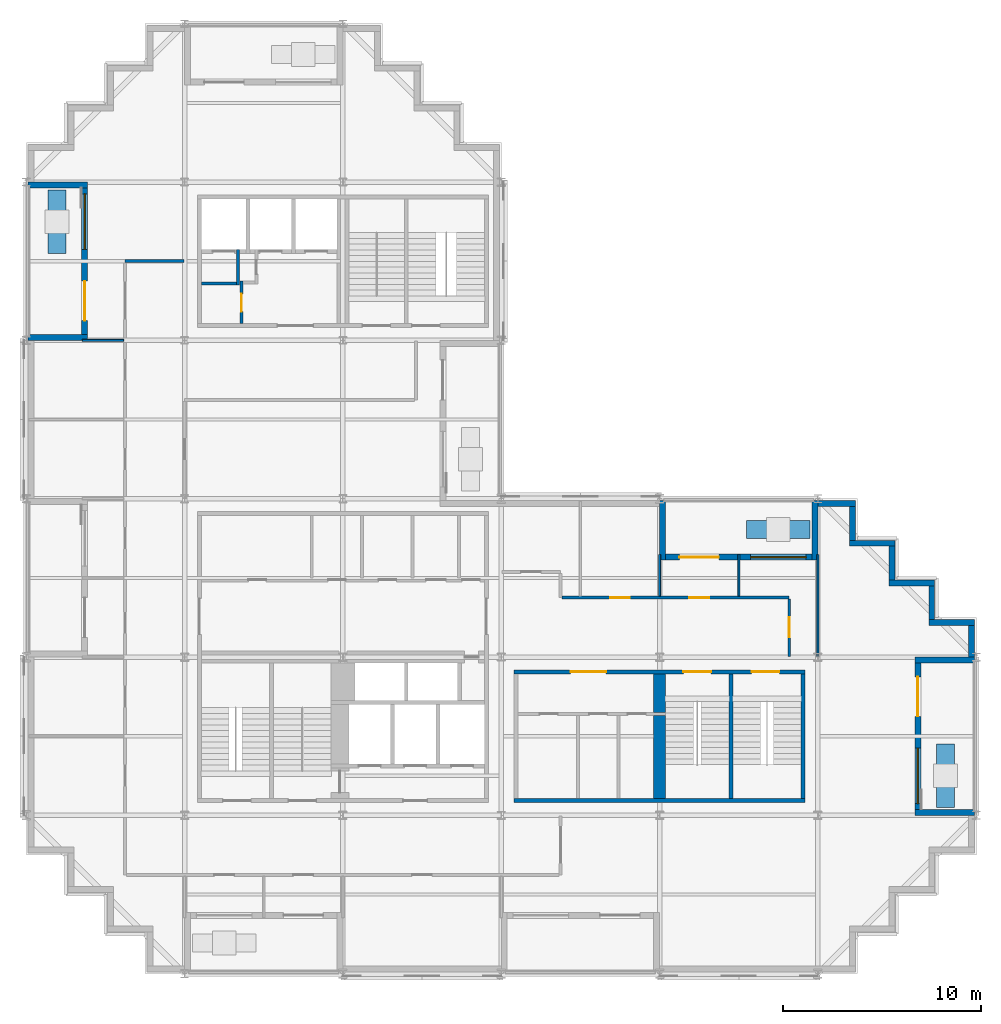
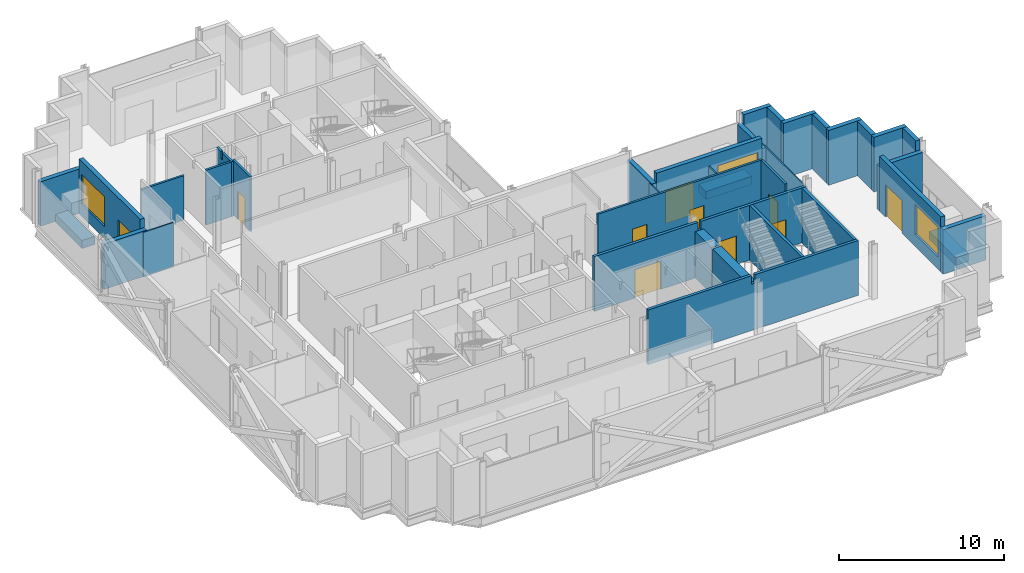
# One storey, part 7 of 12: 36 walls, 10 doors, 3 windows, 13 openings.
"""IFC4 building model written with IfcOpenShell, lengths in metres."""

from ifc_helpers import new_model, si_unit, direction, frame, frame_2d, origin, place, context, subcontext, project, spatial, polyline, rectangle, outline, extrude, material, layer, layer_set, type_object, element, fill, save


model = new_model("IFC4")

# Units and contexts
model_context = context("Model", 3, precision=1e-05, world=origin(), true_north=direction((0.0, 1.0)))
body_context = subcontext(model_context, "Body", "Model", "MODEL_VIEW")
ifc_project = project(units=[si_unit("LENGTHUNIT", "METRE"), si_unit("AREAUNIT", "SQUARE_METRE"), si_unit("VOLUMEUNIT", "CUBIC_METRE"), si_unit("PLANEANGLEUNIT", "RADIAN"), si_unit("MASSUNIT", "GRAM", prefix="KILO")], contexts=[model_context])

# Site, building, storey
site_placement = place(None, origin())
site = spatial("IfcSite", under=ifc_project, at=site_placement, CompositionType="ELEMENT")
building_placement = place(site_placement, origin())
building = spatial("IfcBuilding", under=site, at=building_placement, Name="Immortelle Media Tower", CompositionType="ELEMENT")
storey_placement = place(building_placement, frame((0.0, 0.0, 132.60009765625)))
storey = spatial("IfcBuildingStorey", under=building, at=storey_placement, Name="L26", CompositionType="ELEMENT", Elevation=132.60009765625)

# Walls
ifc_material_1 = material(Name="Fire-rated gypsum board", Category="gypsum")
ifc_layer_1 = layer(ifc_material_1, 0.02490234375)
ifc_material_2 = material(Name="Steel ASTM A653 SS Gr 50 stud frame with mineral wool", Category="steel")
ifc_layer_2 = layer(ifc_material_2, 0.10009765625)
ifc_layer_3 = layer(ifc_material_1, 0.02490234375)
ifc_layer_set_1 = layer_set([ifc_layer_1, ifc_layer_2, ifc_layer_3], Name="Steel ASTM A653 SS Gr 50 stud frame with mineral wool")
wall_type_1 = type_object("IfcWallType", Name="Core partition 150", PredefinedType="PARTITIONING", material=ifc_layer_set_1)
wall_1_placement = place(storey_placement, frame((8.85009765625, 34.875, 0.0), z_axis=(0.0, 0.0, 1.0), x_axis=(1.0, 0.0, 0.0)))
element("IfcWall", 1, at=wall_1_placement, inside=storey, type_object=wall_type_1, Name="Core partition NW", PredefinedType="PARTITIONING", context=body_context, shape_type="SweptSolid", body=[
    extrude(rectangle(XDim=1.77490234375, YDim=0.14990234375, at=frame_2d((0.887451171875, 0.0))), origin(), (0.0, 0.0, 1.0), 4.0498046875),
])
wall_2_placement = place(storey_placement, frame((10.699951171875, 34.800048828125, 0.0), z_axis=(0.0, 0.0, 1.0), x_axis=(0.0, 1.0, 0.0)))
element("IfcWall", 2, at=wall_2_placement, inside=storey, type_object=wall_type_1, Name="Core partition NW", PredefinedType="PARTITIONING", context=body_context, shape_type="SweptSolid", body=[
    extrude(outline(polyline([(0.0, 0.0), (1.800048828125, 0.0), (1.800048828125, 4.0498046875), (1.28759765625, 4.0498046875), (1.28662109375, 3.517822265625), (1.113525390625, 3.517822265625), (1.112548828125, 4.0498046875), (0.0, 4.0498046875), (0.0, 0.0)])), frame((0.0, 0.074951171875, 0.0), z_axis=(0.0, -1.0, 0.0), x_axis=(1.0, 0.0, 0.0)), (0.0, 0.0, 1.0), 0.14990234375),
])

# Wall, opening, door
wall_3_placement = place(storey_placement, frame((10.875, 32.85009765625, 0.0), z_axis=(0.0, 0.0, 1.0), x_axis=(0.0, 1.0, 0.0)))
wall_3 = element("IfcWall", 3, at=wall_3_placement, inside=storey, type_object=wall_type_1, Name="Core partition NW", PredefinedType="PARTITIONING", context=body_context, shape_type="SweptSolid", body=[
    extrude(rectangle(XDim=2.14990234375, YDim=0.14990234375, at=frame_2d((1.074951171875, 0.0))), origin(), (0.0, 0.0, 1.0), 4.0498046875),
])
opening_1_placement = place(wall_3_placement, frame((0.60009765625, 0.0, 0.0)))
opening_1 = element("IfcOpeningElement", 4, at=opening_1_placement, cuts=wall_3, Name="Opening C2-K023", PredefinedType="OPENING", context=body_context, shape_type="SweptSolid", body=[
    extrude(rectangle(XDim=0.89990234375, YDim=2.10009765625, at=frame_2d((0.449951171875, 1.050048828125))), frame((0.0, 0.0849609375, 0.0), z_axis=(0.0, -1.0, 0.0), x_axis=(1.0, 0.0, 0.0)), (0.0, 0.0, 1.0), 0.169921875),
])
ifc_material_3 = material(Name="Galvanised steel door leaf and frame ASTM A653", Category="steel")
door_type_1 = type_object("IfcDoorType", Name="Service door 900 x 2100", OperationType="NOTDEFINED", PredefinedType="NOTDEFINED", material=ifc_material_3)
door_1_placement = place(opening_1_placement, origin())
door_1 = element("IfcDoor", 5, at=door_1_placement, inside=storey, type_object=door_type_1, Name="Service C2-K023", OperationType="SINGLE_SWING_LEFT", OverallHeight=2.10009765625, OverallWidth=0.89990234375, PredefinedType="NOTDEFINED", context=body_context, shape_type="SweptSolid", body=[
    extrude(rectangle(XDim=0.89990234375, YDim=2.10009765625, at=frame_2d((0.449951171875, 1.050048828125))), frame((0.0, 0.02490234375, 0.0), z_axis=(0.0, -1.0, 0.0), x_axis=(1.0, 0.0, 0.0)), (0.0, 0.0, 1.0), 0.050048828125),
])
fill(opening_1, door_1)

ifc_layer_4 = layer(ifc_material_1, 0.012451171875)
ifc_layer_5 = layer(ifc_material_2, 0.125)
ifc_layer_6 = layer(ifc_material_1, 0.012451171875)
ifc_layer_set_2 = layer_set([ifc_layer_4, ifc_layer_5, ifc_layer_6], Name="Steel ASTM A653 SS Gr 50 stud frame with mineral wool")
wall_type_2 = type_object("IfcWallType", Name="Corridor wall 150", PredefinedType="PARTITIONING", material=ifc_layer_set_2)
wall_4_placement = place(storey_placement, frame((38.550048828125, 16.030029296875, 0.0), z_axis=(0.0, 0.0, 1.0), x_axis=(0.0, 1.0, 0.0)))
wall_4 = element("IfcWall", 6, at=wall_4_placement, inside=storey, type_object=wall_type_2, Name="Partition L26-010", PredefinedType="PARTITIONING", context=body_context, shape_type="SweptSolid", body=[
    extrude(rectangle(XDim=2.89501953125, YDim=0.14990234375, at=frame_2d((1.447509765625, 0.0))), origin(), (0.0, 0.0, 1.0), 4.0498046875),
])
opening_2_placement = place(wall_4_placement, frame((1.969970703125, 0.0, 0.0), z_axis=(0.0, 0.0, 1.0), x_axis=(-1.0, 0.0, 0.0)))
opening_2 = element("IfcOpeningElement", 7, at=opening_2_placement, cuts=wall_4, Name="Opening C2-F008", PredefinedType="OPENING", context=body_context, shape_type="SweptSolid", body=[
    extrude(rectangle(XDim=1.0, YDim=2.10009765625, at=frame_2d((0.5, 1.050048828125))), frame((0.0, 0.0849609375, 0.0), z_axis=(0.0, -1.0, 0.0), x_axis=(1.0, 0.0, 0.0)), (0.0, 0.0, 1.0), 0.169921875),
])
ifc_material_4 = material(Name="Timber veneered door leaf, galvanised steel frame ASTM A653", Category="steel")
door_type_2 = type_object("IfcDoorType", Name="Room door 1000 x 2100", OperationType="NOTDEFINED", PredefinedType="DOOR", material=ifc_material_4)
door_2_placement = place(opening_2_placement, origin())
door_2 = element("IfcDoor", 8, at=door_2_placement, inside=storey, type_object=door_type_2, Name="Door C2-F008", OperationType="SINGLE_SWING_RIGHT", OverallHeight=2.10009765625, OverallWidth=1.0, PredefinedType="DOOR", context=body_context, shape_type="SweptSolid", body=[
    extrude(rectangle(XDim=1.0, YDim=2.10009765625, at=frame_2d((0.5, 1.050048828125))), frame((0.0, 0.02490234375, 0.0), z_axis=(0.0, -1.0, 0.0), x_axis=(1.0, 0.0, 0.0)), (0.0, 0.0, 1.0), 0.050048828125),
])
fill(opening_2, door_2)

# Wall, openings, doors
wall_5_placement = place(storey_placement, frame((27.074951171875, 19.0, 0.0), z_axis=(0.0, 0.0, 1.0), x_axis=(1.0, 0.0, 0.0)))
wall_5 = element("IfcWall", 9, at=wall_5_placement, inside=storey, type_object=wall_type_2, Name="Partition L26-012", PredefinedType="PARTITIONING", context=body_context, shape_type="SweptSolid", body=[
    extrude(rectangle(XDim=11.47509765625, YDim=0.14990234375, at=frame_2d((5.737548828125, 0.0))), origin(), (0.0, 0.0, 1.0), 4.0498046875),
])
opening_3_placement = place(wall_5_placement, frame((6.425048828125, 0.0, 0.0)))
opening_3 = element("IfcOpeningElement", 10, at=opening_3_placement, cuts=wall_5, Name="Opening C2-F007", PredefinedType="OPENING", context=body_context, shape_type="SweptSolid", body=[
    extrude(rectangle(XDim=1.0, YDim=2.10009765625, at=frame_2d((0.5, 1.050048828125))), frame((0.0, 0.0849609375, 0.0), z_axis=(0.0, -1.0, 0.0), x_axis=(1.0, 0.0, 0.0)), (0.0, 0.0, 1.0), 0.169921875),
])
opening_4_placement = place(wall_5_placement, frame((2.425048828125, 0.0, 0.0)))
opening_4 = element("IfcOpeningElement", 11, at=opening_4_placement, cuts=wall_5, Name="Opening C2-F012", PredefinedType="OPENING", context=body_context, shape_type="SweptSolid", body=[
    extrude(rectangle(XDim=1.0, YDim=2.10009765625, at=frame_2d((0.5, 1.050048828125))), frame((0.0, 0.0849609375, 0.0), z_axis=(0.0, -1.0, 0.0), x_axis=(1.0, 0.0, 0.0)), (0.0, 0.0, 1.0), 0.169921875),
])
door_3_placement = place(opening_3_placement, origin())
door_3 = element("IfcDoor", 12, at=door_3_placement, inside=storey, type_object=door_type_2, Name="Door C2-F007", OperationType="SINGLE_SWING_RIGHT", OverallHeight=2.10009765625, OverallWidth=1.0, PredefinedType="DOOR", context=body_context, shape_type="SweptSolid", body=[
    extrude(rectangle(XDim=1.0, YDim=2.10009765625, at=frame_2d((0.5, 1.050048828125))), frame((0.0, 0.02490234375, 0.0), z_axis=(0.0, -1.0, 0.0), x_axis=(1.0, 0.0, 0.0)), (0.0, 0.0, 1.0), 0.050048828125),
])
fill(opening_3, door_3)
door_4_placement = place(opening_4_placement, origin())
door_4 = element("IfcDoor", 13, at=door_4_placement, inside=storey, type_object=door_type_2, Name="Door C2-F012", OperationType="SINGLE_SWING_RIGHT", OverallHeight=2.10009765625, OverallWidth=1.0, PredefinedType="DOOR", context=body_context, shape_type="SweptSolid", body=[
    extrude(rectangle(XDim=1.0, YDim=2.10009765625, at=frame_2d((0.5, 1.050048828125))), frame((0.0, 0.02490234375, 0.0), z_axis=(0.0, -1.0, 0.0), x_axis=(1.0, 0.0, 0.0)), (0.0, 0.0, 1.0), 0.050048828125),
])
fill(opening_4, door_4)

# Wall
wall_6_placement = place(storey_placement, frame((5.0, 36.0, 0.0), z_axis=(0.0, 0.0, 1.0), x_axis=(1.0, 0.0, 0.0)))
element("IfcWall", 14, at=wall_6_placement, inside=storey, type_object=wall_type_2, Name="Partition L26-025", PredefinedType="PARTITIONING", context=body_context, shape_type="SweptSolid", body=[
    extrude(rectangle(XDim=2.969970703125, YDim=0.14990234375, at=frame_2d((1.48486328125, 0.0))), origin(), (0.0, 0.0, 1.0), 3.287841796875),
])

# Wall, openings, door, window
ifc_material_5 = material(Name="Pale aluminium cladding panel", Category="aluminium")
ifc_layer_7 = layer(ifc_material_5, 0.030029296875)
ifc_layer_8 = layer(ifc_material_2, 0.257568359375)
ifc_material_6 = material(Name="Moisture-resistant gypsum board", Category="gypsum")
ifc_layer_9 = layer(ifc_material_6, 0.012451171875)
ifc_layer_set_3 = layer_set([ifc_layer_7, ifc_layer_8, ifc_layer_9], Name="Steel ASTM A653 SS Gr 50 stud frame with mineral wool")
wall_type_3 = type_object("IfcWallType", Name="Facade wall 300", PredefinedType="SOLIDWALL", material=ifc_layer_set_3)
wall_7_placement = place(storey_placement, frame((45.050048828125, 8.300048828125, 0.0), z_axis=(0.0, 0.0, 1.0), x_axis=(0.0, 1.0, 0.0)))
wall_7 = element("IfcWall", 15, at=wall_7_placement, inside=storey, type_object=wall_type_3, Name="Loggia wall L26 E13", PredefinedType="SOLIDWALL", context=body_context, shape_type="SweptSolid", body=[
    extrude(rectangle(XDim=7.39990234375, YDim=0.300048828125, at=frame_2d((3.699951171875, 0.0))), origin(), (0.0, 0.0, 1.0), 4.0498046875),
])
opening_5_placement = place(wall_7_placement, frame((0.300048828125, 0.0, 0.89990234375)))
opening_5 = element("IfcOpeningElement", 16, at=opening_5_placement, cuts=wall_7, Name="Opening W1", PredefinedType="OPENING", context=body_context, shape_type="SweptSolid", body=[
    extrude(rectangle(XDim=2.800048828125, YDim=2.199951171875, at=frame_2d((1.39990234375, 1.10009765625))), frame((0.0, 0.159912109375, 0.0), z_axis=(0.0, -1.0, 0.0), x_axis=(1.0, 0.0, 0.0)), (0.0, 0.0, 1.0), 0.320068359375),
])
opening_6_placement = place(wall_7_placement, frame((4.699951171875, 0.0, 0.0)))
opening_6 = element("IfcOpeningElement", 17, at=opening_6_placement, cuts=wall_7, Name="Opening C2-E003", PredefinedType="OPENING", context=body_context, shape_type="SweptSolid", body=[
    extrude(rectangle(XDim=2.0, YDim=2.39990234375, at=frame_2d((1.0, 1.199951171875))), frame((0.0, 0.159912109375, 0.0), z_axis=(0.0, -1.0, 0.0), x_axis=(1.0, 0.0, 0.0)), (0.0, 0.0, 1.0), 0.320068359375),
])
ifc_material_7 = material(Name="Aluminium frame, glazed leaves", Category="aluminium")
door_type_3 = type_object("IfcDoorType", Name="Loggia door 2000 x 2400", OperationType="DOUBLE_DOOR_SINGLE_SWING", PredefinedType="DOOR", material=ifc_material_7)
door_5_placement = place(opening_6_placement, origin())
door_5 = element("IfcDoor", 18, at=door_5_placement, inside=storey, type_object=door_type_3, Name="Door C2-E003", OperationType="DOUBLE_DOOR_SINGLE_SWING", OverallHeight=2.39990234375, OverallWidth=2.0, PredefinedType="DOOR", context=body_context, shape_type="SweptSolid", body=[
    extrude(rectangle(XDim=2.0, YDim=2.39990234375, at=frame_2d((1.0, 1.199951171875))), frame((0.0, 0.02490234375, 0.0), z_axis=(0.0, -1.0, 0.0), x_axis=(1.0, 0.0, 0.0)), (0.0, 0.0, 1.0), 0.050048828125),
])
fill(opening_6, door_5)
ifc_material_8 = material(Name="Aluminium frame", Category="aluminium")
window_type = type_object("IfcWindowType", Name="Window 2800 x 2200", PartitioningType="SINGLE_PANEL", PredefinedType="WINDOW", material=ifc_material_8)
window_1_placement = place(opening_5_placement, origin())
window_1 = element("IfcWindow", 19, at=window_1_placement, inside=storey, type_object=window_type, Name="Window L26 L26-R13-B0", OverallHeight=2.199951171875, OverallWidth=2.800048828125, PartitioningType="SINGLE_PANEL", PredefinedType="WINDOW", context=body_context, shape_type="SweptSolid", body=[
    extrude(rectangle(XDim=2.800048828125, YDim=2.199951171875, at=frame_2d((1.39990234375, 1.10009765625))), frame((0.0, 0.030029296875, 0.0), z_axis=(0.0, -1.0, 0.0), x_axis=(1.0, 0.0, 0.0)), (0.0, 0.0, 1.0), 0.06005859375),
])
fill(opening_5, window_1)

# Walls
for number, where, z_axis, x_axis, name in (
    (20, (47.89990234375, 8.14990234375, 0.0), (0.0, 0.0, 1.0), (-1.0, 0.0, 0.0), "Loggia cheek wall L26 E"),
    (21, (47.89990234375, 15.85009765625, 0.0), (0.0, 0.0, 1.0), (-1.0, 0.0, 0.0), "Loggia cheek wall L26 E"),
):
    element("IfcWall", number, at=place(storey_placement, frame(where, z_axis=z_axis, x_axis=x_axis)), inside=storey, type_object=wall_type_3, Name=name, PredefinedType="SOLIDWALL", context=body_context, shape_type="SweptSolid", body=[
        extrude(rectangle(XDim=3.0, YDim=0.300048828125, at=frame_2d((1.5, 0.0))), origin(), (0.0, 0.0, 1.0), 3.286865234375),
    ])
wall_8_placement = place(storey_placement, frame((47.75, 16.0, 0.0), z_axis=(0.0, 0.0, 1.0), x_axis=(0.0, 1.0, 0.0)))
element("IfcWall", 22, at=wall_8_placement, inside=storey, type_object=wall_type_3, Name="Facade wall L26 E13", PredefinedType="SOLIDWALL", context=body_context, shape_type="SweptSolid", body=[
    extrude(rectangle(XDim=1.60009765625, YDim=0.300048828125, at=frame_2d((0.800048828125, 0.0))), origin(), (0.0, 0.0, 1.0), 4.0498046875),
])
wall_9_placement = place(storey_placement, frame((47.89990234375, 17.75, 0.0), z_axis=(0.0, 0.0, 1.0), x_axis=(-1.0, 0.0, 0.0)))
element("IfcWall", 23, at=wall_9_placement, inside=storey, type_object=wall_type_3, Name="Facade wall L26 N14", PredefinedType="SOLIDWALL", context=body_context, shape_type="SweptSolid", body=[
    extrude(rectangle(XDim=2.2998046875, YDim=0.300048828125, at=frame_2d((1.14990234375, 0.0))), origin(), (0.0, 0.0, 1.0), 4.0498046875),
])
wall_10_placement = place(storey_placement, frame((45.75, 17.89990234375, 0.0), z_axis=(0.0, 0.0, 1.0), x_axis=(0.0, 1.0, 0.0)))
element("IfcWall", 24, at=wall_10_placement, inside=storey, type_object=wall_type_3, Name="Facade wall L26 E15", PredefinedType="SOLIDWALL", context=body_context, shape_type="SweptSolid", body=[
    extrude(rectangle(XDim=1.7001953125, YDim=0.300048828125, at=frame_2d((0.85009765625, 0.0))), origin(), (0.0, 0.0, 1.0), 4.0498046875),
])
wall_11_placement = place(storey_placement, frame((45.89990234375, 19.75, 0.0), z_axis=(0.0, 0.0, 1.0), x_axis=(-1.0, 0.0, 0.0)))
element("IfcWall", 25, at=wall_11_placement, inside=storey, type_object=wall_type_3, Name="Facade wall L26 N16", PredefinedType="SOLIDWALL", context=body_context, shape_type="SweptSolid", body=[
    extrude(rectangle(XDim=2.2998046875, YDim=0.300048828125, at=frame_2d((1.14990234375, 0.0))), origin(), (0.0, 0.0, 1.0), 4.0498046875),
])
wall_12_placement = place(storey_placement, frame((43.75, 19.89990234375, 0.0), z_axis=(0.0, 0.0, 1.0), x_axis=(0.0, 1.0, 0.0)))
element("IfcWall", 26, at=wall_12_placement, inside=storey, type_object=wall_type_3, Name="Facade wall L26 E17", PredefinedType="SOLIDWALL", context=body_context, shape_type="SweptSolid", body=[
    extrude(rectangle(XDim=1.7001953125, YDim=0.300048828125, at=frame_2d((0.85009765625, 0.0))), origin(), (0.0, 0.0, 1.0), 4.0498046875),
])
wall_13_placement = place(storey_placement, frame((43.89990234375, 21.75, 0.0), z_axis=(0.0, 0.0, 1.0), x_axis=(-1.0, 0.0, 0.0)))
element("IfcWall", 27, at=wall_13_placement, inside=storey, type_object=wall_type_3, Name="Facade wall L26 N18", PredefinedType="SOLIDWALL", context=body_context, shape_type="SweptSolid", body=[
    extrude(rectangle(XDim=2.2998046875, YDim=0.300048828125, at=frame_2d((1.14990234375, 0.0))), origin(), (0.0, 0.0, 1.0), 4.0498046875),
])
wall_14_placement = place(storey_placement, frame((41.75, 21.89990234375, 0.0), z_axis=(0.0, 0.0, 1.0), x_axis=(0.0, 1.0, 0.0)))
element("IfcWall", 28, at=wall_14_placement, inside=storey, type_object=wall_type_3, Name="Facade wall L26 E19", PredefinedType="SOLIDWALL", context=body_context, shape_type="SweptSolid", body=[
    extrude(rectangle(XDim=1.7001953125, YDim=0.300048828125, at=frame_2d((0.85009765625, 0.0))), origin(), (0.0, 0.0, 1.0), 4.0498046875),
])
wall_15_placement = place(storey_placement, frame((41.89990234375, 23.75, 0.0), z_axis=(0.0, 0.0, 1.0), x_axis=(-1.0, 0.0, 0.0)))
element("IfcWall", 29, at=wall_15_placement, inside=storey, type_object=wall_type_3, Name="Facade wall L26 N20", PredefinedType="SOLIDWALL", context=body_context, shape_type="SweptSolid", body=[
    extrude(rectangle(XDim=1.89990234375, YDim=0.300048828125, at=frame_2d((0.949951171875, 0.0))), origin(), (0.0, 0.0, 1.0), 4.0498046875),
])

# Wall, openings, door, window
wall_16_placement = place(storey_placement, frame((39.699951171875, 21.050048828125, 0.0), z_axis=(0.0, 0.0, 1.0), x_axis=(-1.0, 0.0, 0.0)))
wall_16 = element("IfcWall", 30, at=wall_16_placement, inside=storey, type_object=wall_type_3, Name="Loggia wall L26 N20", PredefinedType="SOLIDWALL", context=body_context, shape_type="SweptSolid", body=[
    extrude(rectangle(XDim=7.39990234375, YDim=0.300048828125, at=frame_2d((3.699951171875, 0.0))), origin(), (0.0, 0.0, 1.0), 4.0498046875),
])
opening_7_placement = place(wall_16_placement, frame((0.300048828125, 0.0, 0.89990234375)))
opening_7 = element("IfcOpeningElement", 31, at=opening_7_placement, cuts=wall_16, Name="Opening W1", PredefinedType="OPENING", context=body_context, shape_type="SweptSolid", body=[
    extrude(rectangle(XDim=2.800048828125, YDim=2.199951171875, at=frame_2d((1.39990234375, 1.10009765625))), frame((0.0, 0.159912109375, 0.0), z_axis=(0.0, -1.0, 0.0), x_axis=(1.0, 0.0, 0.0)), (0.0, 0.0, 1.0), 0.320068359375),
])
opening_8_placement = place(wall_16_placement, frame((4.699951171875, 0.0, 0.0)))
opening_8 = element("IfcOpeningElement", 32, at=opening_8_placement, cuts=wall_16, Name="Opening C2-E004", PredefinedType="OPENING", context=body_context, shape_type="SweptSolid", body=[
    extrude(rectangle(XDim=2.0, YDim=2.39990234375, at=frame_2d((1.0, 1.199951171875))), frame((0.0, 0.159912109375, 0.0), z_axis=(0.0, -1.0, 0.0), x_axis=(1.0, 0.0, 0.0)), (0.0, 0.0, 1.0), 0.320068359375),
])
door_6_placement = place(opening_8_placement, origin())
door_6 = element("IfcDoor", 33, at=door_6_placement, inside=storey, type_object=door_type_3, Name="Door C2-E004", OperationType="DOUBLE_DOOR_SINGLE_SWING", OverallHeight=2.39990234375, OverallWidth=2.0, PredefinedType="DOOR", context=body_context, shape_type="SweptSolid", body=[
    extrude(rectangle(XDim=2.0, YDim=2.39990234375, at=frame_2d((1.0, 1.199951171875))), frame((0.0, 0.02490234375, 0.0), z_axis=(0.0, -1.0, 0.0), x_axis=(1.0, 0.0, 0.0)), (0.0, 0.0, 1.0), 0.050048828125),
])
fill(opening_8, door_6)
window_2_placement = place(opening_7_placement, origin())
window_2 = element("IfcWindow", 34, at=window_2_placement, inside=storey, type_object=window_type, Name="Window L26 L26-R20-B0", OverallHeight=2.199951171875, OverallWidth=2.800048828125, PartitioningType="SINGLE_PANEL", PredefinedType="WINDOW", context=body_context, shape_type="SweptSolid", body=[
    extrude(rectangle(XDim=2.800048828125, YDim=2.199951171875, at=frame_2d((1.39990234375, 1.10009765625))), frame((0.0, 0.030029296875, 0.0), z_axis=(0.0, -1.0, 0.0), x_axis=(1.0, 0.0, 0.0)), (0.0, 0.0, 1.0), 0.06005859375),
])
fill(opening_7, window_2)

# Walls
wall_17_placement = place(storey_placement, frame((39.85009765625, 23.89990234375, 0.0), z_axis=(0.0, 0.0, 1.0), x_axis=(0.0, -1.0, 0.0)))
element("IfcWall", 35, at=wall_17_placement, inside=storey, type_object=wall_type_3, Name="Loggia cheek wall L26 N", PredefinedType="SOLIDWALL", context=body_context, shape_type="SweptSolid", body=[
    extrude(rectangle(XDim=3.0, YDim=0.300048828125, at=frame_2d((1.5, 0.0))), origin(), (0.0, 0.0, 1.0), 3.286865234375),
])
wall_18_placement = place(storey_placement, frame((32.14990234375, 23.89990234375, 0.0), z_axis=(0.0, 0.0, 1.0), x_axis=(0.0, -1.0, 0.0)))
element("IfcWall", 36, at=wall_18_placement, inside=storey, type_object=wall_type_3, Name="Loggia cheek wall L26 N", PredefinedType="SOLIDWALL", context=body_context, shape_type="SweptSolid", body=[
    extrude(rectangle(XDim=3.0, YDim=0.300048828125, at=frame_2d((1.5, 0.0))), origin(), (0.0, 0.0, 1.0), 3.35595703125),
])

# Wall, openings, door, window
wall_19_placement = place(storey_placement, frame((2.949951171875, 39.699951171875, 0.0), z_axis=(0.0, 0.0, 1.0), x_axis=(0.0, -1.0, 0.0)))
wall_19 = element("IfcWall", 37, at=wall_19_placement, inside=storey, type_object=wall_type_3, Name="Loggia wall L26 W35", PredefinedType="SOLIDWALL", context=body_context, shape_type="SweptSolid", body=[
    extrude(rectangle(XDim=7.39990234375, YDim=0.300048828125, at=frame_2d((3.699951171875, 0.0))), origin(), (0.0, 0.0, 1.0), 4.0498046875),
])
opening_9_placement = place(wall_19_placement, frame((0.300048828125, 0.0, 0.89990234375)))
opening_9 = element("IfcOpeningElement", 38, at=opening_9_placement, cuts=wall_19, Name="Opening W1", PredefinedType="OPENING", context=body_context, shape_type="SweptSolid", body=[
    extrude(rectangle(XDim=2.800048828125, YDim=2.199951171875, at=frame_2d((1.39990234375, 1.10009765625))), frame((0.0, 0.159912109375, 0.0), z_axis=(0.0, -1.0, 0.0), x_axis=(1.0, 0.0, 0.0)), (0.0, 0.0, 1.0), 0.320068359375),
])
opening_10_placement = place(wall_19_placement, frame((4.699951171875, 0.0, 0.0)))
opening_10 = element("IfcOpeningElement", 39, at=opening_10_placement, cuts=wall_19, Name="Opening C2-E007", PredefinedType="OPENING", context=body_context, shape_type="SweptSolid", body=[
    extrude(rectangle(XDim=2.0, YDim=2.39990234375, at=frame_2d((1.0, 1.199951171875))), frame((0.0, 0.159912109375, 0.0), z_axis=(0.0, -1.0, 0.0), x_axis=(1.0, 0.0, 0.0)), (0.0, 0.0, 1.0), 0.320068359375),
])
door_7_placement = place(opening_10_placement, origin())
door_7 = element("IfcDoor", 40, at=door_7_placement, inside=storey, type_object=door_type_3, Name="Door C2-E007", OperationType="DOUBLE_DOOR_SINGLE_SWING", OverallHeight=2.39990234375, OverallWidth=2.0, PredefinedType="DOOR", context=body_context, shape_type="SweptSolid", body=[
    extrude(rectangle(XDim=2.0, YDim=2.39990234375, at=frame_2d((1.0, 1.199951171875))), frame((0.0, 0.02490234375, 0.0), z_axis=(0.0, -1.0, 0.0), x_axis=(1.0, 0.0, 0.0)), (0.0, 0.0, 1.0), 0.050048828125),
])
fill(opening_10, door_7)
window_3_placement = place(opening_9_placement, origin())
window_3 = element("IfcWindow", 41, at=window_3_placement, inside=storey, type_object=window_type, Name="Window L26 L26-R35-B0", OverallHeight=2.199951171875, OverallWidth=2.800048828125, PartitioningType="SINGLE_PANEL", PredefinedType="WINDOW", context=body_context, shape_type="SweptSolid", body=[
    extrude(rectangle(XDim=2.800048828125, YDim=2.199951171875, at=frame_2d((1.39990234375, 1.10009765625))), frame((0.0, 0.030029296875, 0.0), z_axis=(0.0, -1.0, 0.0), x_axis=(1.0, 0.0, 0.0)), (0.0, 0.0, 1.0), 0.06005859375),
])
fill(opening_9, window_3)

# Walls
wall_20_placement = place(storey_placement, frame((0.10009765625, 39.85009765625, 0.0), z_axis=(0.0, 0.0, 1.0), x_axis=(1.0, 0.0, 0.0)))
element("IfcWall", 42, at=wall_20_placement, inside=storey, type_object=wall_type_3, Name="Loggia cheek wall L26 W", PredefinedType="SOLIDWALL", context=body_context, shape_type="SweptSolid", body=[
    extrude(rectangle(XDim=3.0, YDim=0.300048828125, at=frame_2d((1.5, 0.0))), origin(), (0.0, 0.0, 1.0), 3.286865234375),
])
wall_21_placement = place(storey_placement, frame((0.10009765625, 32.14990234375, 0.0), z_axis=(0.0, 0.0, 1.0), x_axis=(1.0, 0.0, 0.0)))
element("IfcWall", 43, at=wall_21_placement, inside=storey, type_object=wall_type_3, Name="Loggia cheek wall L26 W", PredefinedType="SOLIDWALL", context=body_context, shape_type="SweptSolid", body=[
    extrude(rectangle(XDim=3.0, YDim=0.300048828125, at=frame_2d((1.5, 0.0))), origin(), (0.0, 0.0, 1.0), 3.35595703125),
])
ifc_material_9 = material(Name="Gypsum board", Category="gypsum")
ifc_layer_10 = layer(ifc_material_9, 0.012451171875)
ifc_layer_11 = layer(ifc_material_2, 0.074951171875)
ifc_layer_12 = layer(ifc_material_9, 0.012451171875)
ifc_layer_set_4 = layer_set([ifc_layer_10, ifc_layer_11, ifc_layer_12], Name="Steel ASTM A653 SS Gr 50 stud frame with mineral wool")
wall_type_4 = type_object("IfcWallType", Name="Partition 100", PredefinedType="PARTITIONING", material=ifc_layer_set_4)
wall_22_placement = place(storey_placement, frame((40.0, 16.030029296875, 0.0), z_axis=(0.0, 0.0, 1.0), x_axis=(0.0, 1.0, 0.0)))
element("IfcWall", 44, at=wall_22_placement, inside=storey, type_object=wall_type_4, Name="Partition L26-011", PredefinedType="PARTITIONING", context=body_context, shape_type="SweptSolid", body=[
    extrude(rectangle(XDim=5.139892578125, YDim=0.10009765625, at=frame_2d((2.56982421875, 0.0))), origin(), (0.0, 0.0, 1.0), 3.287841796875),
])
for number, where, z_axis, x_axis, name in (
    (45, (32.0, 19.074951171875, 0.0), (0.0, 0.0, 1.0), (0.0, 1.0, 0.0), "Partition L26-015"),
    (46, (36.0, 19.074951171875, 0.0), (0.0, 0.0, 1.0), (0.0, 1.0, 0.0), "Partition L26-016"),
    (47, (2.830078125, 32.0, 0.0), (0.0, 0.0, 1.0), (1.0, 0.0, 0.0), "Partition L26-024"),
):
    element("IfcWall", number, at=place(storey_placement, frame(where, z_axis=z_axis, x_axis=x_axis)), inside=storey, type_object=wall_type_4, Name=name, PredefinedType="PARTITIONING", context=body_context, shape_type="SweptSolid", body=[
        extrude(rectangle(XDim=2.094970703125, YDim=0.10009765625, at=frame_2d((1.04736328125, 0.0))), origin(), (0.0, 0.0, 1.0), 3.287841796875),
    ])
ifc_layer_13 = layer(ifc_material_5, 0.0029296875)
ifc_material_10 = material(Name="Steel ASTM A572 Gr 50 planter shell", Category="steel")
ifc_layer_14 = layer(ifc_material_10, 0.011962890625)
ifc_material_11 = material(Name="Planting substrate", Category="soil")
ifc_layer_15 = layer(ifc_material_11, 0.873046875)
ifc_layer_16 = layer(ifc_material_10, 0.011962890625)
ifc_layer_set_5 = layer_set([ifc_layer_13, ifc_layer_14, ifc_layer_15, ifc_layer_16], Name="Steel ASTM A572 Gr 50 planter shell")
wall_type_5 = type_object("IfcWallType", Name="Planter wall 900", PredefinedType="SOLIDWALL", material=ifc_layer_set_5)
for number, where, z_axis, x_axis, name in (
    (48, (46.449951171875, 8.39990234375, 0.0), (0.0, 0.0, 1.0), (0.0, 1.0, 0.0), "Planter L26 E0"),
    (49, (39.60009765625, 22.449951171875, 0.0), (0.0, 0.0, 1.0), (-1.0, 0.0, 0.0), "Planter L26 N0"),
    (50, (1.550048828125, 39.60009765625, 0.0), (0.0, 0.0, 1.0), (0.0, -1.0, 0.0), "Planter L26 W0"),
):
    element("IfcWall", number, at=place(storey_placement, frame(where, z_axis=z_axis, x_axis=x_axis)), inside=storey, type_object=wall_type_5, Name=name, PredefinedType="SOLIDWALL", context=body_context, shape_type="SweptSolid", body=[
        extrude(rectangle(XDim=3.2001953125, YDim=0.89990234375, at=frame_2d((1.60009765625, 0.0))), origin(), (0.0, 0.0, 1.0), 0.599853515625),
    ])
ifc_material_12 = material(Name="Concrete C60", Category="concrete")
ifc_layer_17 = layer(ifc_material_12, 0.199951171875)
ifc_layer_set_6 = layer_set([ifc_layer_17], Name="Concrete C60")
wall_type_6 = type_object("IfcWallType", Name="Stair shaft wall 200", PredefinedType="PARTITIONING", material=ifc_layer_set_6)
wall_23_placement = place(storey_placement, frame((24.64990234375, 8.75, 0.0), z_axis=(0.0, 0.0, 1.0), x_axis=(1.0, 0.0, 0.0)))
element("IfcWall", 51, at=wall_23_placement, inside=storey, type_object=wall_type_6, Name="Stair shaft wall SE", PredefinedType="PARTITIONING", context=body_context, shape_type="SweptSolid", body=[
    extrude(outline(polyline([(0.0, 0.0), (14.7001953125, 0.0), (14.699951171875, 4.0498046875), (7.469482421875, 4.0498046875), (7.468505859375, 3.431884765625), (7.2314453125, 3.431884765625), (7.23046875, 4.0498046875), (0.0, 4.0498046875), (0.0, 0.0)])), frame((0.0, 0.10009765625, 0.0), z_axis=(0.0, -1.0, 0.0), x_axis=(1.0, 0.0, 0.0)), (0.0, 0.0, 1.0), 0.199951171875),
])

# Wall, openings, doors
wall_24_placement = place(storey_placement, frame((24.64990234375, 15.25, 0.0), z_axis=(0.0, 0.0, 1.0), x_axis=(1.0, 0.0, 0.0)))
wall_24 = element("IfcWall", 52, at=wall_24_placement, inside=storey, type_object=wall_type_6, Name="Stair shaft wall SE", PredefinedType="PARTITIONING", context=body_context, shape_type="SweptSolid", body=[
    extrude(outline(polyline([(0.0, 0.0), (14.7001953125, 0.0), (14.699951171875, 4.0498046875), (7.469482421875, 4.0498046875), (7.468505859375, 3.431884765625), (7.2314453125, 3.431884765625), (7.23046875, 4.0498046875), (0.0, 4.0498046875), (0.0, 0.0)])), frame((0.0, 0.10009765625, 0.0), z_axis=(0.0, -1.0, 0.0), x_axis=(1.0, 0.0, 0.0)), (0.0, 0.0, 1.0), 0.199951171875),
])
opening_11_placement = place(wall_24_placement, frame((2.85009765625, 0.0, 0.0)))
opening_11 = element("IfcOpeningElement", 53, at=opening_11_placement, cuts=wall_24, Name="Opening C2-K017", PredefinedType="OPENING", context=body_context, shape_type="SweptSolid", body=[
    extrude(rectangle(XDim=1.800048828125, YDim=2.10009765625, at=frame_2d((0.89990234375, 1.050048828125))), frame((0.0, 0.10986328125, 0.0), z_axis=(0.0, -1.0, 0.0), x_axis=(1.0, 0.0, 0.0)), (0.0, 0.0, 1.0), 0.219970703125),
])
opening_12_placement = place(wall_24_placement, frame((9.949951171875, 0.0, 0.0), z_axis=(0.0, 0.0, 1.0), x_axis=(-1.0, 0.0, 0.0)))
opening_12 = element("IfcOpeningElement", 54, at=opening_12_placement, cuts=wall_24, Name="Opening C2-K020", PredefinedType="OPENING", context=body_context, shape_type="SweptSolid", body=[
    extrude(rectangle(XDim=1.39990234375, YDim=2.10009765625, at=frame_2d((0.699951171875, 1.050048828125))), frame((0.0, 0.10986328125, 0.0), z_axis=(0.0, -1.0, 0.0), x_axis=(1.0, 0.0, 0.0)), (0.0, 0.0, 1.0), 0.219970703125),
])
opening_13_placement = place(wall_24_placement, frame((13.39990234375, 0.0, 0.0), z_axis=(0.0, 0.0, 1.0), x_axis=(-1.0, 0.0, 0.0)))
opening_13 = element("IfcOpeningElement", 55, at=opening_13_placement, cuts=wall_24, Name="Opening C2-K021", PredefinedType="OPENING", context=body_context, shape_type="SweptSolid", body=[
    extrude(rectangle(XDim=1.39990234375, YDim=2.10009765625, at=frame_2d((0.699951171875, 1.050048828125))), frame((0.0, 0.10986328125, 0.0), z_axis=(0.0, -1.0, 0.0), x_axis=(1.0, 0.0, 0.0)), (0.0, 0.0, 1.0), 0.219970703125),
])
door_type_4 = type_object("IfcDoorType", Name="Lift lobby door 1800 x 2100", OperationType="DOUBLE_DOOR_SINGLE_SWING", PredefinedType="NOTDEFINED", material=ifc_material_3)
door_8_placement = place(opening_11_placement, origin())
door_8 = element("IfcDoor", 56, at=door_8_placement, inside=storey, type_object=door_type_4, Name="Lift lobby C2-K017", OperationType="DOUBLE_DOOR_SINGLE_SWING", OverallHeight=2.10009765625, OverallWidth=1.800048828125, PredefinedType="NOTDEFINED", context=body_context, shape_type="SweptSolid", body=[
    extrude(rectangle(XDim=1.800048828125, YDim=2.10009765625, at=frame_2d((0.89990234375, 1.050048828125))), frame((0.0, 0.02490234375, 0.0), z_axis=(0.0, -1.0, 0.0), x_axis=(1.0, 0.0, 0.0)), (0.0, 0.0, 1.0), 0.050048828125),
])
fill(opening_11, door_8)
door_type_5 = type_object("IfcDoorType", Name="Stair door 1400 x 2100", OperationType="DOUBLE_DOOR_SINGLE_SWING", PredefinedType="NOTDEFINED", material=ifc_material_3)
door_9_placement = place(opening_12_placement, origin())
door_9 = element("IfcDoor", 57, at=door_9_placement, inside=storey, type_object=door_type_5, Name="Stair C2-K020", OperationType="DOUBLE_DOOR_SINGLE_SWING", OverallHeight=2.10009765625, OverallWidth=1.39990234375, PredefinedType="NOTDEFINED", context=body_context, shape_type="SweptSolid", body=[
    extrude(rectangle(XDim=1.39990234375, YDim=2.10009765625, at=frame_2d((0.699951171875, 1.050048828125))), frame((0.0, 0.02490234375, 0.0), z_axis=(0.0, -1.0, 0.0), x_axis=(1.0, 0.0, 0.0)), (0.0, 0.0, 1.0), 0.050048828125),
])
fill(opening_12, door_9)
door_10_placement = place(opening_13_placement, origin())
door_10 = element("IfcDoor", 58, at=door_10_placement, inside=storey, type_object=door_type_5, Name="Stair C2-K021", OperationType="DOUBLE_DOOR_SINGLE_SWING", OverallHeight=2.10009765625, OverallWidth=1.39990234375, PredefinedType="NOTDEFINED", context=body_context, shape_type="SweptSolid", body=[
    extrude(rectangle(XDim=1.39990234375, YDim=2.10009765625, at=frame_2d((0.699951171875, 1.050048828125))), frame((0.0, 0.02490234375, 0.0), z_axis=(0.0, -1.0, 0.0), x_axis=(1.0, 0.0, 0.0)), (0.0, 0.0, 1.0), 0.050048828125),
])
fill(opening_13, door_10)

# Walls
for number, where, z_axis, x_axis, name in (
    (59, (35.60009765625, 8.85009765625, 0.0), (0.0, 0.0, 1.0), (0.0, 1.0, 0.0), "Stair shaft wall SE"),
    (60, (39.25, 8.85009765625, 0.0), (0.0, 0.0, 1.0), (0.0, 1.0, 0.0), "Stair shaft wall SE"),
):
    element("IfcWall", number, at=place(storey_placement, frame(where, z_axis=z_axis, x_axis=x_axis)), inside=storey, type_object=wall_type_6, Name=name, PredefinedType="PARTITIONING", context=body_context, shape_type="SweptSolid", body=[
        extrude(rectangle(XDim=6.2998046875, YDim=0.199951171875, at=frame_2d((3.14990234375, 0.0))), origin(), (0.0, 0.0, 1.0), 4.0498046875),
    ])
ifc_layer_18 = layer(ifc_material_12, 0.60009765625)
ifc_layer_set_7 = layer_set([ifc_layer_18], Name="Concrete C60")
wall_type_7 = type_object("IfcWallType", Name="Stair shaft wall 600", PredefinedType="PARTITIONING", material=ifc_layer_set_7)
wall_25_placement = place(storey_placement, frame((32.0, 8.85009765625, 0.0), z_axis=(0.0, 0.0, 1.0), x_axis=(0.0, 1.0, 0.0)))
element("IfcWall", 61, at=wall_25_placement, inside=storey, type_object=wall_type_7, Name="Stair shaft wall SE", PredefinedType="PARTITIONING", context=body_context, shape_type="SweptSolid", body=[
    extrude(rectangle(XDim=4.199951171875, YDim=0.60009765625, at=frame_2d((2.10009765625, 0.0))), origin(), (0.0, 0.0, 1.0), 3.431884765625),
])
wall_26_placement = place(storey_placement, frame((32.0, 13.199951171875, 0.0), z_axis=(0.0, 0.0, 1.0), x_axis=(0.0, 1.0, 0.0)))
element("IfcWall", 62, at=wall_26_placement, inside=storey, type_object=wall_type_7, Name="Stair shaft wall SE", PredefinedType="PARTITIONING", context=body_context, shape_type="SweptSolid", body=[
    extrude(rectangle(XDim=1.949951171875, YDim=0.60009765625, at=frame_2d((0.97509765625, 0.0))), origin(), (0.0, 0.0, 1.0), 3.431884765625),
])

save(model, "model.ifc")
